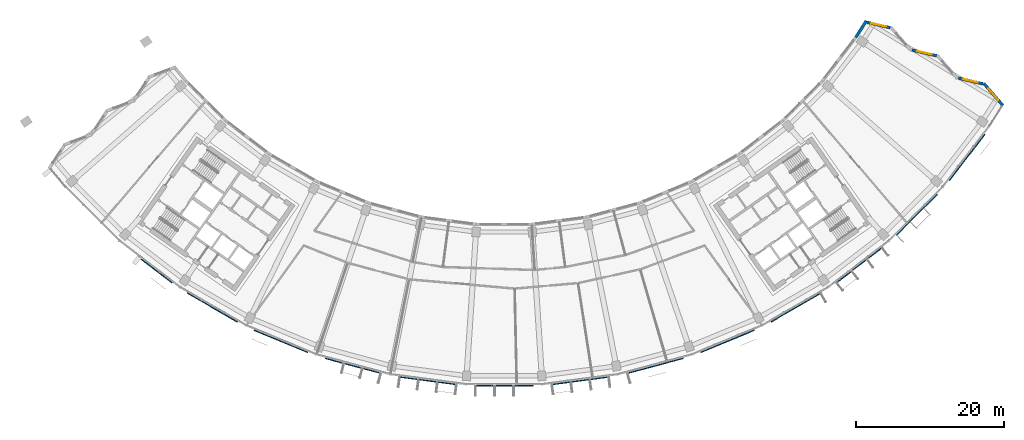
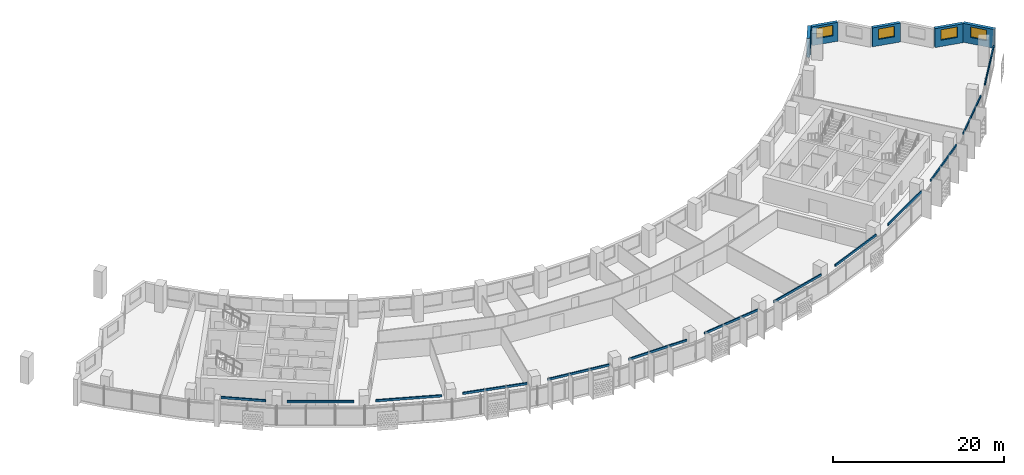
# One storey, part 8 of 27: 13 discrete accessories, 5 walls, 4 windows, 4 openings.
"""IFC4 building model written with IfcOpenShell, lengths in metres."""

from ifc_helpers import new_model, si_unit, direction, frame, frame_2d, origin, origin_2d, place, context, subcontext, project, spatial, rectangle, extrude, material, layer, layer_set, type_object, element, fill, save


model = new_model("IFC4")

# Units and contexts
model_context = context("Model", 3, precision=1e-05, world=origin(), true_north=direction((0.0, 1.0)))
body_context = subcontext(model_context, "Body", "Model", "MODEL_VIEW")
ifc_project = project(units=[si_unit("LENGTHUNIT", "METRE"), si_unit("AREAUNIT", "SQUARE_METRE"), si_unit("VOLUMEUNIT", "CUBIC_METRE"), si_unit("PLANEANGLEUNIT", "RADIAN"), si_unit("MASSUNIT", "GRAM", prefix="KILO")], contexts=[model_context])

# Site, building, storey
site_placement = place(None, origin())
site = spatial("IfcSite", under=ifc_project, at=site_placement, CompositionType="ELEMENT")
building_placement = place(site_placement, origin())
building = spatial("IfcBuilding", under=site, at=building_placement, Name="Qamariyya Broadcast Tower", CompositionType="ELEMENT")
storey_placement = place(building_placement, frame((0.0, 0.0, 191.10009765625)))
storey = spatial("IfcBuildingStorey", under=building, at=storey_placement, Name="L45", CompositionType="ELEMENT", Elevation=191.10009765625)

# Wall, opening, window
ifc_material_1 = material(Name="Terracotta", Category="masonry")
ifc_layer = layer(ifc_material_1, 0.39990234375)
ifc_layer_set = layer_set([ifc_layer], Name="Terracotta clad wall 400")
wall_type = type_object("IfcWallType", Name="Terracotta clad wall 400", PredefinedType="SOLIDWALL", material=ifc_layer_set)
wall_1_placement = place(storey_placement, frame((67.450927734375, -41.00732421875, 0.0), z_axis=(0.0, 0.0, 1.0), x_axis=(-0.652911297692, 0.757434378244, 0.0)))
wall_1 = element("IfcWall", 1, at=wall_1_placement, inside=storey, type_object=wall_type, Name="e-wl-L45-capE0", PredefinedType="SOLIDWALL", context=body_context, shape_type="SweptSolid", body=[
    extrude(rectangle(XDim=3.921630859375, YDim=0.39990234375, at=frame_2d((1.9609375, 0.0))), origin(), (0.0, 0.0, 1.0), 2.699951171875),
])
opening_1_placement = place(wall_1_placement, frame((0.9609375, 0.0, 0.89990234375)))
opening_1 = element("IfcOpeningElement", 2, at=opening_1_placement, cuts=wall_1, Name="Opening W4", PredefinedType="OPENING", context=body_context, shape_type="SweptSolid", body=[
    extrude(rectangle(XDim=2.0, YDim=1.5, at=frame_2d((1.0, 0.75))), frame((0.0, 0.2099609375, 0.0), z_axis=(0.0, -1.0, 0.0), x_axis=(1.0, 0.0, 0.0)), (0.0, 0.0, 1.0), 0.419921875),
])
ifc_material_2 = material(Name="Clear low-e double glazed unit in aluminium frame", Category="aluminium")
window_type = type_object("IfcWindowType", Name="Horn bay window 2000 x 1500", PartitioningType="SINGLE_PANEL", PredefinedType="WINDOW", material=ifc_material_2)
window_1_placement = place(opening_1_placement, origin())
window_1 = element("IfcWindow", 3, at=window_1_placement, inside=storey, type_object=window_type, Name="e-w-L45-capE0", OverallHeight=1.5, OverallWidth=2.0, PartitioningType="SINGLE_PANEL", PredefinedType="WINDOW", context=body_context, shape_type="SweptSolid", body=[
    extrude(rectangle(XDim=2.0, YDim=1.5, at=frame_2d((1.0, 0.75))), frame((0.0, 0.030029296875, 0.0), z_axis=(0.0, -1.0, 0.0), x_axis=(1.0, 0.0, 0.0)), (0.0, 0.0, 1.0), 0.06005859375),
])
fill(opening_1, window_1)

wall_2_placement = place(storey_placement, frame((64.759521484375, -38.07958984375, 0.0), z_axis=(0.0, 0.0, 1.0), x_axis=(-0.974380364399, 0.224906437155, 0.0)))
wall_2 = element("IfcWall", 4, at=wall_2_placement, inside=storey, type_object=wall_type, Name="e-wl-L45-capE1", PredefinedType="SOLIDWALL", context=body_context, shape_type="SweptSolid", body=[
    extrude(rectangle(XDim=3.41943359375, YDim=0.39990234375, at=frame_2d((1.709716796875, 0.0))), origin(), (0.0, 0.0, 1.0), 2.699951171875),
])
opening_2_placement = place(wall_2_placement, frame((0.709716796875, 0.0, 0.89990234375)))
opening_2 = element("IfcOpeningElement", 5, at=opening_2_placement, cuts=wall_2, Name="Opening W4", PredefinedType="OPENING", context=body_context, shape_type="SweptSolid", body=[
    extrude(rectangle(XDim=2.0, YDim=1.5, at=frame_2d((1.0, 0.75))), frame((0.0, 0.2099609375, 0.0), z_axis=(0.0, -1.0, 0.0), x_axis=(1.0, 0.0, 0.0)), (0.0, 0.0, 1.0), 0.419921875),
])
window_2_placement = place(opening_2_placement, origin())
window_2 = element("IfcWindow", 6, at=window_2_placement, inside=storey, type_object=window_type, Name="e-w-L45-capE1", OverallHeight=1.5, OverallWidth=2.0, PartitioningType="SINGLE_PANEL", PredefinedType="WINDOW", context=body_context, shape_type="SweptSolid", body=[
    extrude(rectangle(XDim=2.0, YDim=1.5, at=frame_2d((1.0, 0.75))), frame((0.0, 0.030029296875, 0.0), z_axis=(0.0, -1.0, 0.0), x_axis=(1.0, 0.0, 0.0)), (0.0, 0.0, 1.0), 0.06005859375),
])
fill(opening_2, window_2)

wall_3_placement = place(storey_placement, frame((58.4833984375, -34.28466796875, 0.0), z_axis=(0.0, 0.0, 1.0), x_axis=(-0.974400823934, 0.224817780251, 0.0)))
wall_3 = element("IfcWall", 7, at=wall_3_placement, inside=storey, type_object=wall_type, Name="e-wl-L45-capE3", PredefinedType="SOLIDWALL", context=body_context, shape_type="SweptSolid", body=[
    extrude(rectangle(XDim=3.41845703125, YDim=0.39990234375, at=frame_2d((1.709228515625, 0.0))), origin(), (0.0, 0.0, 1.0), 2.699951171875),
])
opening_3_placement = place(wall_3_placement, frame((0.709228515625, 0.0, 0.89990234375)))
opening_3 = element("IfcOpeningElement", 8, at=opening_3_placement, cuts=wall_3, Name="Opening W4", PredefinedType="OPENING", context=body_context, shape_type="SweptSolid", body=[
    extrude(rectangle(XDim=2.0, YDim=1.5, at=frame_2d((1.0, 0.75))), frame((0.0, 0.2099609375, 0.0), z_axis=(0.0, -1.0, 0.0), x_axis=(1.0, 0.0, 0.0)), (0.0, 0.0, 1.0), 0.419921875),
])
window_3_placement = place(opening_3_placement, origin())
window_3 = element("IfcWindow", 9, at=window_3_placement, inside=storey, type_object=window_type, Name="e-w-L45-capE3", OverallHeight=1.5, OverallWidth=2.0, PartitioningType="SINGLE_PANEL", PredefinedType="WINDOW", context=body_context, shape_type="SweptSolid", body=[
    extrude(rectangle(XDim=2.0, YDim=1.5, at=frame_2d((1.0, 0.75))), frame((0.0, 0.030029296875, 0.0), z_axis=(0.0, -1.0, 0.0), x_axis=(1.0, 0.0, 0.0)), (0.0, 0.0, 1.0), 0.06005859375),
])
fill(opening_3, window_3)

wall_4_placement = place(storey_placement, frame((52.20703125, -30.489501953125, 0.0), z_axis=(0.0, 0.0, 1.0), x_axis=(-0.974427485371, 0.224702193477, 0.0)))
wall_4 = element("IfcWall", 10, at=wall_4_placement, inside=storey, type_object=wall_type, Name="e-wl-L45-capE5", PredefinedType="SOLIDWALL", context=body_context, shape_type="SweptSolid", body=[
    extrude(rectangle(XDim=3.173583984375, YDim=0.39990234375, at=frame_2d((1.5869140625, 0.0))), origin(), (0.0, 0.0, 1.0), 2.699951171875),
])
opening_4_placement = place(wall_4_placement, frame((0.586669921875, 0.0, 0.89990234375)))
opening_4 = element("IfcOpeningElement", 11, at=opening_4_placement, cuts=wall_4, Name="Opening W4", PredefinedType="OPENING", context=body_context, shape_type="SweptSolid", body=[
    extrude(rectangle(XDim=2.0, YDim=1.5, at=frame_2d((1.0, 0.75))), frame((0.0, 0.2099609375, 0.0), z_axis=(0.0, -1.0, 0.0), x_axis=(1.0, 0.0, 0.0)), (0.0, 0.0, 1.0), 0.419921875),
])
window_4_placement = place(opening_4_placement, origin())
window_4 = element("IfcWindow", 12, at=window_4_placement, inside=storey, type_object=window_type, Name="e-w-L45-capE5", OverallHeight=1.5, OverallWidth=2.0, PartitioningType="SINGLE_PANEL", PredefinedType="WINDOW", context=body_context, shape_type="SweptSolid", body=[
    extrude(rectangle(XDim=2.0, YDim=1.5, at=frame_2d((1.0, 0.75))), frame((0.0, 0.030029296875, 0.0), z_axis=(0.0, -1.0, 0.0), x_axis=(1.0, 0.0, 0.0)), (0.0, 0.0, 1.0), 0.06005859375),
])
fill(opening_4, window_4)

# Wall
wall_5_placement = place(storey_placement, frame((48.971435546875, -29.5595703125, 0.0), z_axis=(0.0, 0.0, 1.0), x_axis=(-0.536642905393, -0.843809452478, 0.0)))
element("IfcWall", 13, at=wall_5_placement, inside=storey, type_object=wall_type, Name="e-wl-L45-in150", PredefinedType="SOLIDWALL", context=body_context, shape_type="SweptSolid", body=[
    extrude(rectangle(XDim=2.649169921875, YDim=0.39990234375, at=frame_2d((1.32470703125, 0.0))), origin(), (0.0, 0.0, 1.0), 2.699951171875),
])

# Discrete accessories
ifc_material_3 = material(Name="Stainless steel 316", Category="steel")
discrete_accessory_type = type_object("IfcDiscreteAccessoryType", Name="Slab edge fixing angle, stainless steel", PredefinedType="BRACKET", material=ifc_material_3)
discrete_accessory_placement = place(storey_placement, frame((-47.010009765625, -63.386474609375, 3.2998046875), z_axis=(0.0, 0.0, 1.0), x_axis=(0.793353340291, -0.608761429009, 0.0)))
element("IfcDiscreteAccessory", 14, at=discrete_accessory_placement, inside=storey, type_object=discrete_accessory_type, Name="e-br-L45-02-0", PredefinedType="BRACKET", context=body_context, shape_type="SweptSolid", body=[
    extrude(rectangle(XDim=5.266845703125, YDim=0.14990234375, at=origin_2d()), origin(), (0.0, 0.0, 1.0), 0.300048828125),
])
for number, where, z_axis, x_axis, name in (
    (15, (-39.452880859375, -68.33447265625, 3.2998046875), (0.0, 0.0, 1.0), (0.866025403784, -0.5, 0.0), "e-br-L45-03-0"),
    (16, (-30.196044921875, -72.8994140625, 3.2998046875), (0.0, 0.0, 1.0), (0.923879532511, -0.382683432365, 0.0), "e-br-L45-04-0"),
    (17, (-20.42236328125, -76.21728515625, 3.2998046875), (0.0, 0.0, 1.0), (0.965925826289, -0.258819045103, 0.0), "e-br-L45-05-0"),
    (18, (-10.29931640625, -78.230712890625, 3.2998046875), (0.0, 0.0, 1.0), (0.991444861374, -0.13052619222, 0.0), "e-br-L45-06-0"),
    (19, (0.0, -78.90576171875, 3.2998046875), (0.0, 0.0, 1.0), (1.0, 0.0, 0.0), "e-br-L45-07-0"),
    (20, (10.29931640625, -78.230712890625, 3.2998046875), (0.0, 0.0, 1.0), (0.991444861374, 0.13052619222, 0.0), "e-br-L45-08-0"),
    (21, (20.42236328125, -76.21728515625, 3.2998046875), (0.0, 0.0, 1.0), (0.965925826289, 0.258819045103, 0.0), "e-br-L45-09-0"),
    (22, (30.196044921875, -72.8994140625, 3.2998046875), (0.0, 0.0, 1.0), (0.923879532511, 0.382683432365, 0.0), "e-br-L45-10-0"),
    (23, (39.452880859375, -68.33447265625, 3.2998046875), (0.0, 0.0, 1.0), (0.866025403784, 0.5, 0.0), "e-br-L45-11-0"),
    (24, (48.034912109375, -62.600341796875, 3.2998046875), (0.0, 0.0, 1.0), (0.793353340291, 0.608761429009, 0.0), "e-br-L45-12-0"),
    (25, (55.794921875, -55.794921875, 3.2998046875), (0.0, 0.0, 1.0), (0.707106781187, 0.707106781187, 0.0), "e-br-L45-13-0"),
    (26, (62.600341796875, -48.034912109375, 3.2998046875), (0.0, 0.0, 1.0), (0.608761429009, 0.793353340291, 0.0), "e-br-L45-14-0"),
):
    element("IfcDiscreteAccessory", number, at=place(storey_placement, frame(where, z_axis=z_axis, x_axis=x_axis)), inside=storey, type_object=discrete_accessory_type, Name=name, PredefinedType="BRACKET", context=body_context, shape_type="SweptSolid", body=[
        extrude(rectangle(XDim=7.850341796875, YDim=0.14990234375, at=origin_2d()), origin(), (0.0, 0.0, 1.0), 0.300048828125),
    ])

save(model, "model.ifc")
